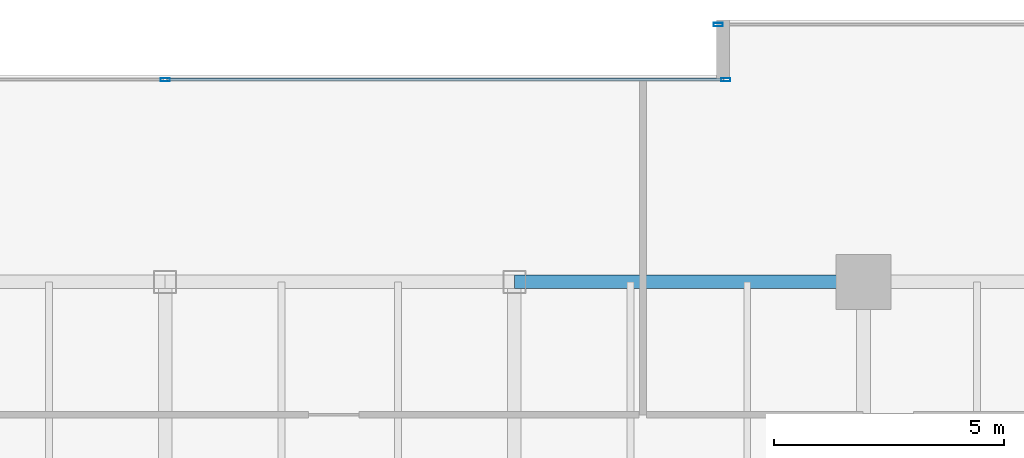
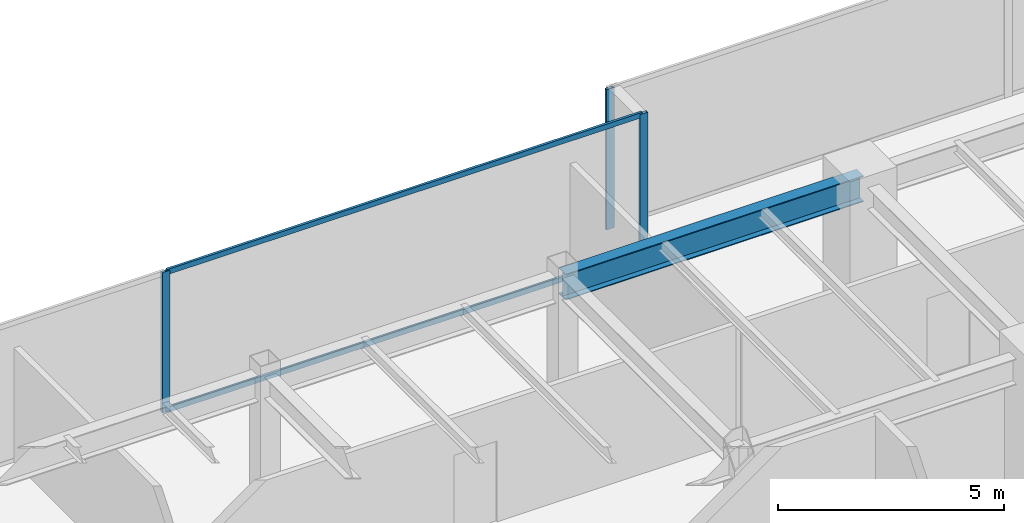
# One storey, part 18 of 31: 5 members, 1 beam, 2 elements without a shape of their own.
"""IFC4 building model written with IfcOpenShell, lengths in metres."""

import ifcopenshell
import ifcopenshell.guid

model = None  # the IFC model being written
_history = None  # IfcOwnerHistory: only IFC2X3 demands one
_inside = {}  # id of a spatial element -> (the spatial element, [elements in it])
_under = {}  # id of a project, library or spatial element -> (it, [spatial elements below it])
_declared = {}  # id of a project -> (the project, [libraries it declares])
_typed = {}  # id of a type object -> (the type object, [elements of that type])
_made_of = {}  # id of a material, layer set ... -> (it, [elements and type objects made of it])


def new_model(schema):
    """Start an empty IFC model of exactly this schema.

    Asked for "IFC4X3", IfcOpenShell would pick the latest addendum, in which some entities
    have other attributes; the version numbers below select the first issue.
    IFC2X3 requires an IfcOwnerHistory on every rooted entity: one is made here for all.
    """
    global model, _history
    if schema == "IFC4X3":
        model = ifcopenshell.file(schema_version=(4, 3, 0, 0))
    else:
        model = ifcopenshell.file(schema=schema)
    _inside.clear()
    _under.clear()
    _declared.clear()
    _typed.clear()
    _made_of.clear()
    _history = None
    if model.schema == "IFC2X3":
        org = make("IfcOrganization", Name="unknown")
        user = make(
            "IfcPersonAndOrganization",
            ThePerson=make("IfcPerson", FamilyName="unknown"),
            TheOrganization=org,
        )
        app = make(
            "IfcApplication",
            ApplicationDeveloper=org,
            Version="unknown",
            ApplicationFullName="unknown",
            ApplicationIdentifier="unknown",
        )
        _history = make(
            "IfcOwnerHistory",
            OwningUser=user,
            OwningApplication=app,
            ChangeAction="ADDED",
            CreationDate=0,
        )
    return model


def make(cls, **values):
    """One entity of the class cls with the attributes given. An attribute that is None is left unset."""
    return model.create_entity(
        cls, **{name: value for name, value in values.items() if value is not None}
    )


def rooted(cls, **values):
    """An entity with a GlobalId (a new one), such as an element, a storey or a relation."""
    return make(cls, GlobalId=ifcopenshell.guid.new(), OwnerHistory=_history, **values)


def si_unit(unit_type, name, prefix=None):
    """IfcSIUnit, for example si_unit("LENGTHUNIT", "METRE", prefix="MILLI")."""
    return make("IfcSIUnit", UnitType=unit_type, Prefix=prefix, Name=name)


def assignment(units):
    """IfcUnitAssignment: the units of a project."""
    return None if units is None else make("IfcUnitAssignment", Units=units)


def point(xyz):
    """IfcCartesianPoint."""
    return None if xyz is None else make("IfcCartesianPoint", Coordinates=xyz)


def direction(xyz):
    """IfcDirection."""
    return None if xyz is None else make("IfcDirection", DirectionRatios=xyz)


def frame(location, z_axis=None, x_axis=None):
    """IfcAxis2Placement3D, a coordinate frame: its origin and axes. An axis left out is left unset."""
    return make(
        "IfcAxis2Placement3D",
        Location=point(location),
        Axis=direction(z_axis),
        RefDirection=direction(x_axis),
    )


def frame_2d(location, x_axis=None):
    """IfcAxis2Placement2D, a coordinate frame in the plane: its origin and x axis."""
    return make(
        "IfcAxis2Placement2D", Location=point(location), RefDirection=direction(x_axis)
    )


def origin():
    """The frame at (0, 0, 0) with its axes left unset."""
    return frame((0.0, 0.0, 0.0))


def origin_2d():
    """The frame at (0, 0) in the plane with its x axis left unset."""
    return frame_2d((0.0, 0.0))


def place(relative_to, where):
    """IfcLocalPlacement: puts the frame where relative to a parent placement (None: the world)."""
    return make(
        "IfcLocalPlacement", PlacementRelTo=relative_to, RelativePlacement=where
    )


def context(
    kind, dimensions, precision=None, world=None, true_north=None, identifier=None
):
    """IfcGeometricRepresentationContext, for example the 3D "Model" context."""
    return make(
        "IfcGeometricRepresentationContext",
        ContextIdentifier=identifier,
        ContextType=kind,
        CoordinateSpaceDimension=dimensions,
        Precision=precision,
        WorldCoordinateSystem=world,
        TrueNorth=true_north,
    )


def subcontext(parent, identifier, kind, view, scale=None):
    """IfcGeometricRepresentationSubContext, for example "Body" below "Model"."""
    return make(
        "IfcGeometricRepresentationSubContext",
        ContextIdentifier=identifier,
        ContextType=kind,
        ParentContext=parent,
        TargetScale=scale,
        TargetView=view,
    )


def project(units=None, contexts=None):
    """IfcProject with its units and contexts."""
    return rooted(
        "IfcProject",
        Name="project",
        RepresentationContexts=contexts,
        UnitsInContext=assignment(units),
    )


def spatial(cls, under=None, at=None, **own):
    """A site, building, storey or space (cls), placed at a placement, below another one or the project."""
    s = rooted(cls, ObjectPlacement=at, **own)
    if under is not None:
        _under.setdefault(under.id(), (under, []))[1].append(s)
    return s


def profile(cls, at=None, kind="AREA", **sizes):
    """A parametric profile (cls). Its sizes go by their IFC names, for example OverallWidth=200.0."""
    return make(cls, ProfileType=kind, Position=at, **sizes)


def hollow_rectangle(**sizes):
    """IfcRectangleHollowProfileDef."""
    return profile("IfcRectangleHollowProfileDef", **sizes)


def i_section(**sizes):
    """IfcIShapeProfileDef."""
    return profile("IfcIShapeProfileDef", **sizes)


def extrude(swept, where, along, depth):
    """IfcExtrudedAreaSolid: the profile swept, set in the frame where, extruded along a direction by depth."""
    return make(
        "IfcExtrudedAreaSolid",
        SweptArea=swept,
        Position=where,
        ExtrudedDirection=direction(along),
        Depth=depth,
    )


def shape(context_of_items, identifier, shape_type, items):
    """IfcShapeRepresentation: the items that make up one representation, for example the "Body"."""
    return make(
        "IfcShapeRepresentation",
        ContextOfItems=context_of_items,
        RepresentationIdentifier=identifier,
        RepresentationType=shape_type,
        Items=items,
    )


def source(mapping_origin, context_of_items, identifier, shape_type, items):
    """IfcRepresentationMap: a shape defined once, which mapped items show again and again."""
    return make(
        "IfcRepresentationMap",
        MappingOrigin=mapping_origin,
        MappedRepresentation=shape(context_of_items, identifier, shape_type, items),
    )


def transform(
    local_origin,
    x_axis=None,
    y_axis=None,
    z_axis=None,
    scale=None,
    scale2=None,
    scale3=None,
    uniform=True,
):
    """IfcCartesianTransformationOperator3D, or its non-uniform kind. x_axis, y_axis, z_axis: its Axis1, 2, 3."""
    if uniform:
        return make(
            "IfcCartesianTransformationOperator3D",
            Axis1=direction(x_axis),
            Axis2=direction(y_axis),
            LocalOrigin=point(local_origin),
            Scale=scale,
            Axis3=direction(z_axis),
        )
    return make(
        "IfcCartesianTransformationOperator3DnonUniform",
        Axis1=direction(x_axis),
        Axis2=direction(y_axis),
        LocalOrigin=point(local_origin),
        Scale=scale,
        Axis3=direction(z_axis),
        Scale2=scale2,
        Scale3=scale3,
    )


def mapped(mapping_source, mapping_target):
    """IfcMappedItem: shows the shape of a source again, moved by a transform."""
    return make(
        "IfcMappedItem", MappingSource=mapping_source, MappingTarget=mapping_target
    )


def material(Name=None, Category=None):
    """IfcMaterial."""
    return make("IfcMaterial", Name=Name, Category=Category)


def layer(
    of_material, thickness, ventilated=None, Name=None, Category=None, Priority=None
):
    """IfcMaterialLayer: one layer of a wall or slab, of a material (None: an air gap)."""
    return make(
        "IfcMaterialLayer",
        Material=of_material,
        LayerThickness=thickness,
        IsVentilated=ventilated,
        Name=Name,
        Category=Category,
        Priority=Priority,
    )


def layer_set(layers, Name=None):
    """IfcMaterialLayerSet."""
    return make("IfcMaterialLayerSet", MaterialLayers=layers, LayerSetName=Name)


def material_profile(
    of_material, cross_section, Name=None, Category=None, Priority=None
):
    """IfcMaterialProfile: a cross section and its material."""
    return make(
        "IfcMaterialProfile",
        Name=Name,
        Material=of_material,
        Profile=cross_section,
        Priority=Priority,
        Category=Category,
    )


def profile_set(profiles, Name=None, composite=None):
    """IfcMaterialProfileSet."""
    return make(
        "IfcMaterialProfileSet",
        Name=Name,
        MaterialProfiles=profiles,
        CompositeProfile=composite,
    )


def made_of(thing, what):
    """Note that an element or type object is made of a material, layer set ...; save() writes the relation."""
    if what is not None:
        _made_of.setdefault(what.id(), (what, []))[1].append(thing)
    return thing


def type_object(cls, material=None, **own):
    """A type object (cls), such as IfcWallType, which elements share."""
    return made_of(rooted(cls, **own), material)


def type_shapes(of_type, sources):
    """Give a type object the sources (RepresentationMaps) that its elements show as mapped items."""
    of_type.RepresentationMaps = sources


def element(
    cls,
    number,
    at=None,
    inside=None,
    cuts=None,
    type_object=None,
    material=None,
    context=None,
    identifier="Body",
    shape_type=None,
    held_by="IfcProductDefinitionShape",
    body=None,
    shapes=None,
    **own,
):
    """One element of the class cls, such as IfcWall. Its Tag is "e" and its number.

    at: its placement. inside: the storey or other place that contains it. cuts: it is an
    opening in that element (IfcRelVoidsElement). A single representation is given by context,
    identifier, shape_type and body (its items); several are given by shapes. held_by: the class
    of the entity that holds the representations. save() writes the other relations.
    """
    e = rooted(cls, Tag="e%d" % number, ObjectPlacement=at, **own)
    if body is not None:
        shapes = [shape(context, identifier, shape_type, body)]
    if shapes is not None:
        e.Representation = make(held_by, Representations=shapes)
    if inside is not None:
        _inside.setdefault(inside.id(), (inside, []))[1].append(e)
    if cuts is not None:
        rooted(
            "IfcRelVoidsElement", RelatingBuildingElement=cuts, RelatedOpeningElement=e
        )
    if type_object is not None:
        _typed.setdefault(type_object.id(), (type_object, []))[1].append(e)
    return made_of(e, material)


def aggregate(whole, parts):
    """IfcRelAggregates: a whole, such as a stair, and the parts it consists of."""
    return rooted("IfcRelAggregates", RelatingObject=whole, RelatedObjects=parts)


def save(model, path):
    """Write the relations noted so far, then the file.

    IfcRelAggregates (storeys below a building ...), IfcRelContainedInSpatialStructure (elements
    in a storey), IfcRelDefinesByType, IfcRelAssociatesMaterial and IfcRelDeclares: one each for
    every whole, place, type object, material and project.
    """
    for whole, parts in _under.values():
        aggregate(whole, parts)
    for where, things in _inside.values():
        rooted(
            "IfcRelContainedInSpatialStructure",
            RelatedElements=things,
            RelatingStructure=where,
        )
    for kind, things in _typed.values():
        rooted("IfcRelDefinesByType", RelatedObjects=things, RelatingType=kind)
    for what, things in _made_of.values():
        rooted("IfcRelAssociatesMaterial", RelatedObjects=things, RelatingMaterial=what)
    for by, libraries in _declared.values():
        rooted("IfcRelDeclares", RelatingContext=by, RelatedDefinitions=libraries)
    model.write(path)


model = new_model("IFC4")

# Units and contexts
model_context = context("Model", 3, precision=1e-05, world=origin(), true_north=direction((0.0, 1.0)))
body_context = subcontext(model_context, "Body", "Model", "MODEL_VIEW")
ifc_project = project(units=[si_unit("LENGTHUNIT", "METRE"), si_unit("AREAUNIT", "SQUARE_METRE"), si_unit("VOLUMEUNIT", "CUBIC_METRE"), si_unit("PLANEANGLEUNIT", "RADIAN"), si_unit("MASSUNIT", "GRAM", prefix="KILO")], contexts=[model_context])

# Site, building, storey
site_placement = place(None, origin())
site = spatial("IfcSite", under=ifc_project, at=site_placement, CompositionType="ELEMENT")
building_placement = place(site_placement, origin())
building = spatial("IfcBuilding", under=site, at=building_placement, Name="Haelvirn Gate Laboratories", CompositionType="ELEMENT")
storey_placement = place(building_placement, frame((0.0, 0.0, 150.199951171875)))
storey = spatial("IfcBuildingStorey", under=building, at=storey_placement, Name="L36", CompositionType="ELEMENT", Elevation=150.199951171875)

# Beam
ifc_material_1 = material(Name="Steel SM355", Category="steel")
ifc_material_profile_1 = material_profile(ifc_material_1, i_section(OverallWidth=0.300048828125, OverallDepth=0.699951171875, WebThickness=0.012939453125, FlangeThickness=0.02392578125, at=origin_2d()), Name="H-700x300x13x24")
ifc_profile_set_1 = profile_set([ifc_material_profile_1], Name="Steel SM355")
beam_type = type_object("IfcBeamType", Name="BM-G-700", PredefinedType="BEAM", material=ifc_profile_set_1)
shared_shape_1 = source(origin(), body_context, "Body", "SweptSolid", [
    extrude(i_section(OverallWidth=0.300048828125, OverallDepth=0.699951171875, WebThickness=0.012939453125, FlangeThickness=0.02392578125, at=origin_2d()), origin(), (0.0, 0.0, 1.0), 7.60009765625),
])
type_shapes(beam_type, [shared_shape_1])
beam_placement = place(storey_placement, frame((45.0, 41.60009765625, 3.43994140625), z_axis=(1.0, 0.0, 0.0), x_axis=(0.0, 1.0, 0.0)))
element("IfcBeam", 1, at=beam_placement, inside=storey, type_object=beam_type, Name="L36 Primary Girder Y41.6 (45.0-52.6)", PredefinedType="BEAM", context=body_context, shape_type="MappedRepresentation", body=[
    mapped(shared_shape_1, transform((0.0, 0.0, 0.0), scale=1.0)),
])

# Curtain wall, members
ifc_material_2 = material(Name="Anodised bronze unitised aluminium & triple low-E glass", Category="aluminium")
ifc_layer = layer(ifc_material_2, 0.179931640625, Name="CW-SYS-3")
ifc_layer_set = layer_set([ifc_layer], Name="Anodised bronze unitised aluminium & triple low-E glass")
curtain_wall_type = type_object("IfcCurtainWallType", Name="CW-SYS-3", PredefinedType="NOTDEFINED", material=ifc_layer_set)
curtain_wall_1_placement = place(storey_placement, origin())
curtain_wall_1 = element("IfcCurtainWall", 2, at=curtain_wall_1_placement, inside=storey, type_object=curtain_wall_type, Name="L36 Unitised Curtain Wall CW-L36-P0-E12-1", PredefinedType="NOTDEFINED")
ifc_material_3 = material(Name="Extruded aluminium 6063-T6 (anodised bronze)", Category="aluminium")
ifc_material_profile_2 = material_profile(ifc_material_3, hollow_rectangle(XDim=0.06494140625, YDim=0.139892578125, WallThickness=0.00390625, at=origin_2d()), Name="CWT-140x65x4")
ifc_profile_set_2 = profile_set([ifc_material_profile_2], Name="Extruded aluminium 6063-T6 (anodised bronze)")
member_type_1 = type_object("IfcMemberType", Name="CWT-T140", PredefinedType="USERDEFINED", material=ifc_profile_set_2)
shared_shape_2 = source(origin(), body_context, "Body", "SweptSolid", [
    extrude(hollow_rectangle(XDim=0.06494140625, YDim=0.139892578125, WallThickness=0.00390625, at=origin_2d()), origin(), (0.0, 0.0, 1.0), 12.12744140625),
])
type_shapes(member_type_1, [shared_shape_2])
member_1_placement = place(storey_placement, frame((37.4375, 46.0, 0.032470703125), z_axis=(1.0, 0.0, 0.0), x_axis=(0.0, 1.0, 0.0)))
member_1 = element("IfcMember", 3, at=member_1_placement, type_object=member_type_1, Name="CW3 transom 2.1", ObjectType="TRANSOM", PredefinedType="USERDEFINED", context=body_context, shape_type="MappedRepresentation", body=[
    mapped(shared_shape_2, transform((0.0, 0.0, 0.0), scale=1.0)),
])
member_2_placement = place(storey_placement, frame((37.4375, 46.0, 3.757568359375), z_axis=(1.0, 0.0, 0.0), x_axis=(0.0, 1.0, 0.0)))
member_2 = element("IfcMember", 4, at=member_2_placement, type_object=member_type_1, Name="CW3 transom 2.2", ObjectType="TRANSOM", PredefinedType="USERDEFINED", context=body_context, shape_type="MappedRepresentation", body=[
    mapped(shared_shape_2, transform((0.0, 0.0, 0.0), scale=1.0)),
])

# Curtain wall, member
curtain_wall_2_placement = place(storey_placement, origin())
curtain_wall_2 = element("IfcCurtainWall", 5, at=curtain_wall_2_placement, inside=storey, type_object=curtain_wall_type, Name="L36 Unitised Curtain Wall CW-L36-P0-E10-1", PredefinedType="NOTDEFINED")
ifc_material_profile_3 = material_profile(ifc_material_3, hollow_rectangle(XDim=0.074951171875, YDim=0.199951171875, WallThickness=0.0048828125, at=origin_2d()), Name="CWM-200x75x5")
ifc_profile_set_3 = profile_set([ifc_material_profile_3], Name="Extruded aluminium 6063-T6 (anodised bronze)")
member_type_2 = type_object("IfcMemberType", Name="CWM-T200", PredefinedType="MULLION", material=ifc_profile_set_3)
shared_shape_3 = source(origin(), body_context, "Body", "SweptSolid", [
    extrude(hollow_rectangle(XDim=0.074951171875, YDim=0.199951171875, WallThickness=0.0048828125, at=origin_2d()), origin(), (0.0, 0.0, 1.0), 3.7900390625),
])
type_shapes(member_type_2, [shared_shape_3])
member_3_placement = place(storey_placement, frame((49.4375, 47.199951171875, 0.0), z_axis=(0.0, 0.0, 1.0), x_axis=(0.0, 1.0, 0.0)))
member_3 = element("IfcMember", 6, at=member_3_placement, type_object=member_type_2, Name="CW3 mullion 1", PredefinedType="MULLION", context=body_context, shape_type="MappedRepresentation", body=[
    mapped(shared_shape_3, transform((0.0, 0.0, 0.0), scale=1.0)),
])
aggregate(curtain_wall_2, [member_3])

# Member
member_4_placement = place(storey_placement, frame((37.39990234375, 46.0, 0.0), z_axis=(0.0, 0.0, 1.0), x_axis=(0.0, 1.0, 0.0)))
member_4 = element("IfcMember", 7, at=member_4_placement, type_object=member_type_2, Name="CW3 mullion 2", PredefinedType="MULLION", context=body_context, shape_type="MappedRepresentation", body=[
    mapped(shared_shape_3, transform((0.0, 0.0, 0.0), scale=1.0)),
])

member_5_placement = place(storey_placement, frame((49.6025390625, 46.0, 0.0), z_axis=(0.0, 0.0, 1.0), x_axis=(0.0, 1.0, 0.0)))
member_5 = element("IfcMember", 8, at=member_5_placement, type_object=member_type_2, Name="CW3 mullion 3", PredefinedType="MULLION", context=body_context, shape_type="MappedRepresentation", body=[
    mapped(shared_shape_3, transform((0.0, 0.0, 0.0), scale=1.0)),
])

aggregate(curtain_wall_1, [member_4, member_5, member_1, member_2])

save(model, "model.ifc")
